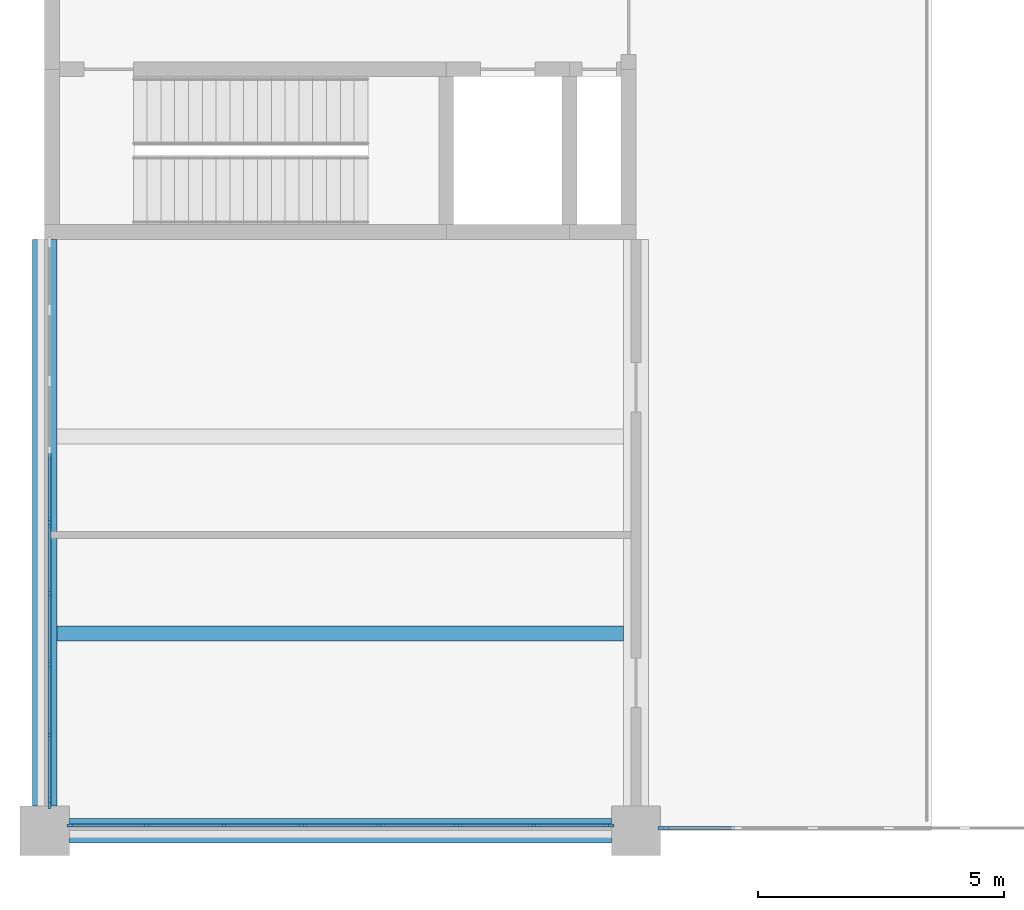
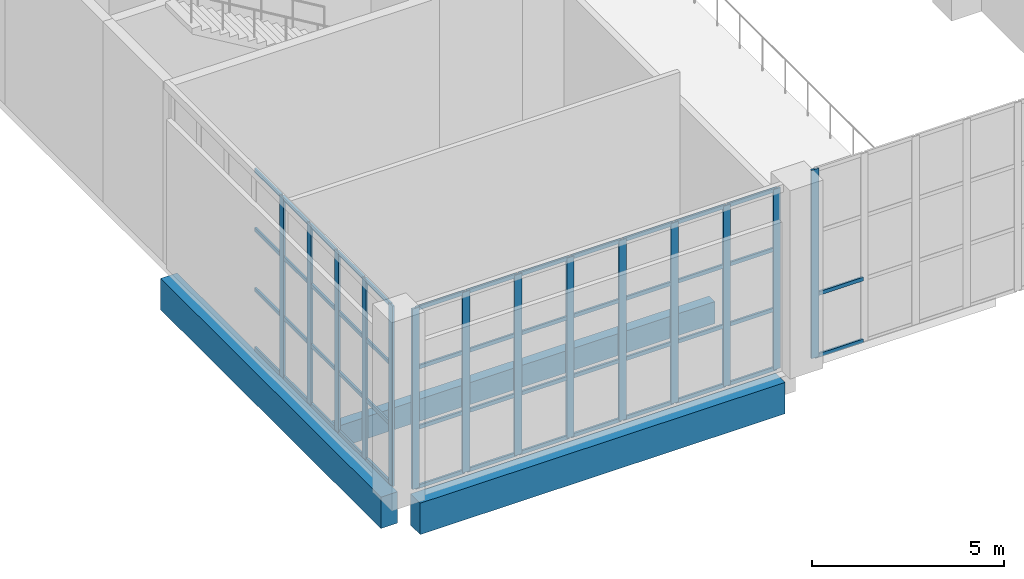
# One storey, part 12 of 72: 64 members, 3 beams, 3 elements without a shape of their own.
"""IFC4 building model written with IfcOpenShell, lengths in metres."""

import ifcopenshell
import ifcopenshell.guid

model = None  # the IFC model being written
_history = None  # IfcOwnerHistory: only IFC2X3 demands one
_inside = {}  # id of a spatial element -> (the spatial element, [elements in it])
_under = {}  # id of a project, library or spatial element -> (it, [spatial elements below it])
_declared = {}  # id of a project -> (the project, [libraries it declares])
_typed = {}  # id of a type object -> (the type object, [elements of that type])
_made_of = {}  # id of a material, layer set ... -> (it, [elements and type objects made of it])


def new_model(schema):
    """Start an empty IFC model of exactly this schema.

    Asked for "IFC4X3", IfcOpenShell would pick the latest addendum, in which some entities
    have other attributes; the version numbers below select the first issue.
    IFC2X3 requires an IfcOwnerHistory on every rooted entity: one is made here for all.
    """
    global model, _history
    if schema == "IFC4X3":
        model = ifcopenshell.file(schema_version=(4, 3, 0, 0))
    else:
        model = ifcopenshell.file(schema=schema)
    _inside.clear()
    _under.clear()
    _declared.clear()
    _typed.clear()
    _made_of.clear()
    _history = None
    if model.schema == "IFC2X3":
        org = make("IfcOrganization", Name="unknown")
        user = make(
            "IfcPersonAndOrganization",
            ThePerson=make("IfcPerson", FamilyName="unknown"),
            TheOrganization=org,
        )
        app = make(
            "IfcApplication",
            ApplicationDeveloper=org,
            Version="unknown",
            ApplicationFullName="unknown",
            ApplicationIdentifier="unknown",
        )
        _history = make(
            "IfcOwnerHistory",
            OwningUser=user,
            OwningApplication=app,
            ChangeAction="ADDED",
            CreationDate=0,
        )
    return model


def make(cls, **values):
    """One entity of the class cls with the attributes given. An attribute that is None is left unset."""
    return model.create_entity(
        cls, **{name: value for name, value in values.items() if value is not None}
    )


def rooted(cls, **values):
    """An entity with a GlobalId (a new one), such as an element, a storey or a relation."""
    return make(cls, GlobalId=ifcopenshell.guid.new(), OwnerHistory=_history, **values)


def si_unit(unit_type, name, prefix=None):
    """IfcSIUnit, for example si_unit("LENGTHUNIT", "METRE", prefix="MILLI")."""
    return make("IfcSIUnit", UnitType=unit_type, Prefix=prefix, Name=name)


def assignment(units):
    """IfcUnitAssignment: the units of a project."""
    return None if units is None else make("IfcUnitAssignment", Units=units)


def point(xyz):
    """IfcCartesianPoint."""
    return None if xyz is None else make("IfcCartesianPoint", Coordinates=xyz)


def direction(xyz):
    """IfcDirection."""
    return None if xyz is None else make("IfcDirection", DirectionRatios=xyz)


def frame(location, z_axis=None, x_axis=None):
    """IfcAxis2Placement3D, a coordinate frame: its origin and axes. An axis left out is left unset."""
    return make(
        "IfcAxis2Placement3D",
        Location=point(location),
        Axis=direction(z_axis),
        RefDirection=direction(x_axis),
    )


def frame_2d(location, x_axis=None):
    """IfcAxis2Placement2D, a coordinate frame in the plane: its origin and x axis."""
    return make(
        "IfcAxis2Placement2D", Location=point(location), RefDirection=direction(x_axis)
    )


def origin():
    """The frame at (0, 0, 0) with its axes left unset."""
    return frame((0.0, 0.0, 0.0))


def origin_2d():
    """The frame at (0, 0) in the plane with its x axis left unset."""
    return frame_2d((0.0, 0.0))


def place(relative_to, where):
    """IfcLocalPlacement: puts the frame where relative to a parent placement (None: the world)."""
    return make(
        "IfcLocalPlacement", PlacementRelTo=relative_to, RelativePlacement=where
    )


def context(
    kind, dimensions, precision=None, world=None, true_north=None, identifier=None
):
    """IfcGeometricRepresentationContext, for example the 3D "Model" context."""
    return make(
        "IfcGeometricRepresentationContext",
        ContextIdentifier=identifier,
        ContextType=kind,
        CoordinateSpaceDimension=dimensions,
        Precision=precision,
        WorldCoordinateSystem=world,
        TrueNorth=true_north,
    )


def subcontext(parent, identifier, kind, view, scale=None):
    """IfcGeometricRepresentationSubContext, for example "Body" below "Model"."""
    return make(
        "IfcGeometricRepresentationSubContext",
        ContextIdentifier=identifier,
        ContextType=kind,
        ParentContext=parent,
        TargetScale=scale,
        TargetView=view,
    )


def project(units=None, contexts=None):
    """IfcProject with its units and contexts."""
    return rooted(
        "IfcProject",
        Name="project",
        RepresentationContexts=contexts,
        UnitsInContext=assignment(units),
    )


def spatial(cls, under=None, at=None, **own):
    """A site, building, storey or space (cls), placed at a placement, below another one or the project."""
    s = rooted(cls, ObjectPlacement=at, **own)
    if under is not None:
        _under.setdefault(under.id(), (under, []))[1].append(s)
    return s


def profile(cls, at=None, kind="AREA", **sizes):
    """A parametric profile (cls). Its sizes go by their IFC names, for example OverallWidth=200.0."""
    return make(cls, ProfileType=kind, Position=at, **sizes)


def rectangle(**sizes):
    """IfcRectangleProfileDef."""
    return profile("IfcRectangleProfileDef", **sizes)


def extrude(swept, where, along, depth):
    """IfcExtrudedAreaSolid: the profile swept, set in the frame where, extruded along a direction by depth."""
    return make(
        "IfcExtrudedAreaSolid",
        SweptArea=swept,
        Position=where,
        ExtrudedDirection=direction(along),
        Depth=depth,
    )


def shape(context_of_items, identifier, shape_type, items):
    """IfcShapeRepresentation: the items that make up one representation, for example the "Body"."""
    return make(
        "IfcShapeRepresentation",
        ContextOfItems=context_of_items,
        RepresentationIdentifier=identifier,
        RepresentationType=shape_type,
        Items=items,
    )


def material(Name=None, Category=None):
    """IfcMaterial."""
    return make("IfcMaterial", Name=Name, Category=Category)


def layer(
    of_material, thickness, ventilated=None, Name=None, Category=None, Priority=None
):
    """IfcMaterialLayer: one layer of a wall or slab, of a material (None: an air gap)."""
    return make(
        "IfcMaterialLayer",
        Material=of_material,
        LayerThickness=thickness,
        IsVentilated=ventilated,
        Name=Name,
        Category=Category,
        Priority=Priority,
    )


def layer_set(layers, Name=None):
    """IfcMaterialLayerSet."""
    return make("IfcMaterialLayerSet", MaterialLayers=layers, LayerSetName=Name)


def material_profile(
    of_material, cross_section, Name=None, Category=None, Priority=None
):
    """IfcMaterialProfile: a cross section and its material."""
    return make(
        "IfcMaterialProfile",
        Name=Name,
        Material=of_material,
        Profile=cross_section,
        Priority=Priority,
        Category=Category,
    )


def profile_set(profiles, Name=None, composite=None):
    """IfcMaterialProfileSet."""
    return make(
        "IfcMaterialProfileSet",
        Name=Name,
        MaterialProfiles=profiles,
        CompositeProfile=composite,
    )


def made_of(thing, what):
    """Note that an element or type object is made of a material, layer set ...; save() writes the relation."""
    if what is not None:
        _made_of.setdefault(what.id(), (what, []))[1].append(thing)
    return thing


def type_object(cls, material=None, **own):
    """A type object (cls), such as IfcWallType, which elements share."""
    return made_of(rooted(cls, **own), material)


def element(
    cls,
    number,
    at=None,
    inside=None,
    cuts=None,
    type_object=None,
    material=None,
    context=None,
    identifier="Body",
    shape_type=None,
    held_by="IfcProductDefinitionShape",
    body=None,
    shapes=None,
    **own,
):
    """One element of the class cls, such as IfcWall. Its Tag is "e" and its number.

    at: its placement. inside: the storey or other place that contains it. cuts: it is an
    opening in that element (IfcRelVoidsElement). A single representation is given by context,
    identifier, shape_type and body (its items); several are given by shapes. held_by: the class
    of the entity that holds the representations. save() writes the other relations.
    """
    e = rooted(cls, Tag="e%d" % number, ObjectPlacement=at, **own)
    if body is not None:
        shapes = [shape(context, identifier, shape_type, body)]
    if shapes is not None:
        e.Representation = make(held_by, Representations=shapes)
    if inside is not None:
        _inside.setdefault(inside.id(), (inside, []))[1].append(e)
    if cuts is not None:
        rooted(
            "IfcRelVoidsElement", RelatingBuildingElement=cuts, RelatedOpeningElement=e
        )
    if type_object is not None:
        _typed.setdefault(type_object.id(), (type_object, []))[1].append(e)
    return made_of(e, material)


def aggregate(whole, parts):
    """IfcRelAggregates: a whole, such as a stair, and the parts it consists of."""
    return rooted("IfcRelAggregates", RelatingObject=whole, RelatedObjects=parts)


def save(model, path):
    """Write the relations noted so far, then the file.

    IfcRelAggregates (storeys below a building ...), IfcRelContainedInSpatialStructure (elements
    in a storey), IfcRelDefinesByType, IfcRelAssociatesMaterial and IfcRelDeclares: one each for
    every whole, place, type object, material and project.
    """
    for whole, parts in _under.values():
        aggregate(whole, parts)
    for where, things in _inside.values():
        rooted(
            "IfcRelContainedInSpatialStructure",
            RelatedElements=things,
            RelatingStructure=where,
        )
    for kind, things in _typed.values():
        rooted("IfcRelDefinesByType", RelatedObjects=things, RelatingType=kind)
    for what, things in _made_of.values():
        rooted("IfcRelAssociatesMaterial", RelatedObjects=things, RelatingMaterial=what)
    for by, libraries in _declared.values():
        rooted("IfcRelDeclares", RelatingContext=by, RelatedDefinitions=libraries)
    model.write(path)


model = new_model("IFC4")

# Units and contexts
model_context = context("Model", 3, precision=1e-05, world=origin(), true_north=direction((0.0, 1.0)))
body_context = subcontext(model_context, "Body", "Model", "MODEL_VIEW")
ifc_project = project(units=[si_unit("LENGTHUNIT", "METRE"), si_unit("AREAUNIT", "SQUARE_METRE"), si_unit("VOLUMEUNIT", "CUBIC_METRE"), si_unit("PLANEANGLEUNIT", "RADIAN"), si_unit("MASSUNIT", "GRAM", prefix="KILO")], contexts=[model_context])

# Site, building, storey
site_placement = place(None, origin())
site = spatial("IfcSite", under=ifc_project, at=site_placement, CompositionType="ELEMENT")
building_placement = place(site_placement, origin())
building = spatial("IfcBuilding", under=site, at=building_placement, Name="Lilac Gate Convention Centre", CompositionType="ELEMENT")
storey_placement = place(building_placement, frame((0.0, 0.0, 6.0)))
storey = spatial("IfcBuildingStorey", under=building, at=storey_placement, Name="L01", CompositionType="ELEMENT", Elevation=6.0)

# Curtain wall, members
ifc_material_1 = material(Name="Aluminium framed double glazing", Category="aluminium")
ifc_layer = layer(ifc_material_1, 0.199951171875)
ifc_layer_set = layer_set([ifc_layer], Name="Aluminium framed double glazing")
curtain_wall_type = type_object("IfcCurtainWallType", Name="Unitised curtain wall 1500", PredefinedType="NOTDEFINED", material=ifc_layer_set)
curtain_wall_1_placement = place(storey_placement, origin())
curtain_wall_1 = element("IfcCurtainWall", 1, at=curtain_wall_1_placement, inside=storey, type_object=curtain_wall_type, Name="Curtain wall PW L01 12", PredefinedType="NOTDEFINED")
ifc_material_2 = material(Name="Aluminium alloy 6063", Category="aluminium")
ifc_material_profile_1 = material_profile(ifc_material_2, rectangle(XDim=0.06005859375, YDim=0.219970703125, at=origin_2d()), Name="Curtain wall mullion 60 x 220")
ifc_profile_set_1 = profile_set([ifc_material_profile_1], Name="Aluminium alloy 6063")
member_type_1 = type_object("IfcMemberType", Name="Curtain wall mullion 60 x 220", PredefinedType="MULLION", material=ifc_profile_set_1)
member_1_placement = place(storey_placement, frame((6.10009765625, 36.25, 0.0), z_axis=(0.0, 0.0, 1.0), x_axis=(1.0, 0.0, 0.0)))
member_1 = element("IfcMember", 2, at=member_1_placement, type_object=member_type_1, Name="CW mullion 5", PredefinedType="MULLION", context=body_context, shape_type="SweptSolid", body=[
    extrude(rectangle(XDim=0.06005859375, YDim=0.219970703125, at=origin_2d()), origin(), (0.0, 0.0, 1.0), 5.75),
])
member_2_placement = place(storey_placement, frame((6.10009765625, 34.8125, 0.0), z_axis=(0.0, 0.0, 1.0), x_axis=(1.0, 0.0, 0.0)))
member_2 = element("IfcMember", 3, at=member_2_placement, type_object=member_type_1, Name="CW mullion 6", PredefinedType="MULLION", context=body_context, shape_type="SweptSolid", body=[
    extrude(rectangle(XDim=0.06005859375, YDim=0.219970703125, at=origin_2d()), origin(), (0.0, 0.0, 1.0), 5.75),
])
member_3_placement = place(storey_placement, frame((6.10009765625, 33.375, 0.0), z_axis=(0.0, 0.0, 1.0), x_axis=(1.0, 0.0, 0.0)))
member_3 = element("IfcMember", 4, at=member_3_placement, type_object=member_type_1, Name="CW mullion 7", PredefinedType="MULLION", context=body_context, shape_type="SweptSolid", body=[
    extrude(rectangle(XDim=0.06005859375, YDim=0.219970703125, at=origin_2d()), origin(), (0.0, 0.0, 1.0), 5.75),
])
member_4_placement = place(storey_placement, frame((6.10009765625, 31.9375, 0.0), z_axis=(0.0, 0.0, 1.0), x_axis=(1.0, 0.0, 0.0)))
member_4 = element("IfcMember", 5, at=member_4_placement, type_object=member_type_1, Name="CW mullion 8", PredefinedType="MULLION", context=body_context, shape_type="SweptSolid", body=[
    extrude(rectangle(XDim=0.06005859375, YDim=0.219970703125, at=origin_2d()), origin(), (0.0, 0.0, 1.0), 5.75),
])
member_5_placement = place(storey_placement, frame((6.10009765625, 30.56005859375, 0.0), z_axis=(0.0, 0.0, 1.0), x_axis=(1.0, 0.0, 0.0)))
member_5 = element("IfcMember", 6, at=member_5_placement, type_object=member_type_1, Name="CW mullion 9", PredefinedType="MULLION", context=body_context, shape_type="SweptSolid", body=[
    extrude(rectangle(XDim=0.06005859375, YDim=0.219970703125, at=origin_2d()), origin(), (0.0, 0.0, 1.0), 5.75),
])

curtain_wall_2_placement = place(storey_placement, origin())
curtain_wall_2 = element("IfcCurtainWall", 7, at=curtain_wall_2_placement, inside=storey, type_object=curtain_wall_type, Name="Curtain wall PS L01 1", PredefinedType="NOTDEFINED")
member_6_placement = place(storey_placement, frame((6.56005859375, 30.10009765625, 0.0), z_axis=(0.0, 0.0, 1.0), x_axis=(0.0, 1.0, 0.0)))
member_6 = element("IfcMember", 8, at=member_6_placement, type_object=member_type_1, Name="CW mullion 1", PredefinedType="MULLION", context=body_context, shape_type="SweptSolid", body=[
    extrude(rectangle(XDim=0.06005859375, YDim=0.219970703125, at=origin_2d()), origin(), (0.0, 0.0, 1.0), 5.75),
])
member_7_placement = place(storey_placement, frame((8.071533203125, 30.10009765625, 0.0), z_axis=(0.0, 0.0, 1.0), x_axis=(0.0, 1.0, 0.0)))
member_7 = element("IfcMember", 9, at=member_7_placement, type_object=member_type_1, Name="CW mullion 2", PredefinedType="MULLION", context=body_context, shape_type="SweptSolid", body=[
    extrude(rectangle(XDim=0.06005859375, YDim=0.219970703125, at=origin_2d()), origin(), (0.0, 0.0, 1.0), 5.75),
])
member_8_placement = place(storey_placement, frame((9.642822265625, 30.10009765625, 0.0), z_axis=(0.0, 0.0, 1.0), x_axis=(0.0, 1.0, 0.0)))
member_8 = element("IfcMember", 10, at=member_8_placement, type_object=member_type_1, Name="CW mullion 3", PredefinedType="MULLION", context=body_context, shape_type="SweptSolid", body=[
    extrude(rectangle(XDim=0.06005859375, YDim=0.219970703125, at=origin_2d()), origin(), (0.0, 0.0, 1.0), 5.75),
])
member_9_placement = place(storey_placement, frame((11.21435546875, 30.10009765625, 0.0), z_axis=(0.0, 0.0, 1.0), x_axis=(0.0, 1.0, 0.0)))
member_9 = element("IfcMember", 11, at=member_9_placement, type_object=member_type_1, Name="CW mullion 4", PredefinedType="MULLION", context=body_context, shape_type="SweptSolid", body=[
    extrude(rectangle(XDim=0.06005859375, YDim=0.219970703125, at=origin_2d()), origin(), (0.0, 0.0, 1.0), 5.75),
])
member_10_placement = place(storey_placement, frame((12.78564453125, 30.10009765625, 0.0), z_axis=(0.0, 0.0, 1.0), x_axis=(0.0, 1.0, 0.0)))
member_10 = element("IfcMember", 12, at=member_10_placement, type_object=member_type_1, Name="CW mullion 5", PredefinedType="MULLION", context=body_context, shape_type="SweptSolid", body=[
    extrude(rectangle(XDim=0.06005859375, YDim=0.219970703125, at=origin_2d()), origin(), (0.0, 0.0, 1.0), 5.75),
])
member_11_placement = place(storey_placement, frame((14.357177734375, 30.10009765625, 0.0), z_axis=(0.0, 0.0, 1.0), x_axis=(0.0, 1.0, 0.0)))
member_11 = element("IfcMember", 13, at=member_11_placement, type_object=member_type_1, Name="CW mullion 6", PredefinedType="MULLION", context=body_context, shape_type="SweptSolid", body=[
    extrude(rectangle(XDim=0.06005859375, YDim=0.219970703125, at=origin_2d()), origin(), (0.0, 0.0, 1.0), 5.75),
])
member_12_placement = place(storey_placement, frame((15.928466796875, 30.10009765625, 0.0), z_axis=(0.0, 0.0, 1.0), x_axis=(0.0, 1.0, 0.0)))
member_12 = element("IfcMember", 14, at=member_12_placement, type_object=member_type_1, Name="CW mullion 7", PredefinedType="MULLION", context=body_context, shape_type="SweptSolid", body=[
    extrude(rectangle(XDim=0.06005859375, YDim=0.219970703125, at=origin_2d()), origin(), (0.0, 0.0, 1.0), 5.75),
])
member_13_placement = place(storey_placement, frame((17.43994140625, 30.10009765625, 0.0), z_axis=(0.0, 0.0, 1.0), x_axis=(0.0, 1.0, 0.0)))
member_13 = element("IfcMember", 15, at=member_13_placement, type_object=member_type_1, Name="CW mullion 8", PredefinedType="MULLION", context=body_context, shape_type="SweptSolid", body=[
    extrude(rectangle(XDim=0.06005859375, YDim=0.219970703125, at=origin_2d()), origin(), (0.0, 0.0, 1.0), 5.75),
])

# Curtain wall, member
curtain_wall_3_placement = place(storey_placement, origin())
curtain_wall_3 = element("IfcCurtainWall", 16, at=curtain_wall_3_placement, inside=storey, type_object=curtain_wall_type, Name="Galleria end glazing L01", PredefinedType="NOTDEFINED")
member_14_placement = place(storey_placement, frame((18.56005859375, 30.050048828125, 0.0), z_axis=(0.0, 0.0, 1.0), x_axis=(0.0, 1.0, 0.0)))
member_14 = element("IfcMember", 17, at=member_14_placement, type_object=member_type_1, Name="CW mullion 1", PredefinedType="MULLION", context=body_context, shape_type="SweptSolid", body=[
    extrude(rectangle(XDim=0.06005859375, YDim=0.219970703125, at=origin_2d()), origin(), (0.0, 0.0, 1.0), 6.0),
])

# Member
ifc_material_profile_2 = material_profile(ifc_material_2, rectangle(XDim=0.06005859375, YDim=0.1201171875, at=origin_2d()), Name="Curtain wall transom 60 x 120")
ifc_profile_set_2 = profile_set([ifc_material_profile_2], Name="Aluminium alloy 6063")
member_type_2 = type_object("IfcMemberType", Name="Curtain wall transom 60 x 120", PredefinedType="USERDEFINED", material=ifc_profile_set_2)
member_15_placement = place(storey_placement, frame((6.10009765625, 37.657470703125, 0.030029296875), z_axis=(0.0, -1.0, 0.0), x_axis=(1.0, 0.0, 0.0)))
member_15 = element("IfcMember", 18, at=member_15_placement, type_object=member_type_2, Name="CW transom 4.1", ObjectType="TRANSOM", PredefinedType="USERDEFINED", context=body_context, shape_type="SweptSolid", body=[
    extrude(rectangle(XDim=0.06005859375, YDim=0.1201171875, at=origin_2d()), origin(), (0.0, 0.0, 1.0), 1.37744140625),
])

member_16_placement = place(storey_placement, frame((6.10009765625, 37.657470703125, 1.916748046875), z_axis=(0.0, -1.0, 0.0), x_axis=(1.0, 0.0, 0.0)))
member_16 = element("IfcMember", 19, at=member_16_placement, type_object=member_type_2, Name="CW transom 4.2", ObjectType="TRANSOM", PredefinedType="USERDEFINED", context=body_context, shape_type="SweptSolid", body=[
    extrude(rectangle(XDim=0.06005859375, YDim=0.1201171875, at=origin_2d()), origin(), (0.0, 0.0, 1.0), 1.37744140625),
])

member_17_placement = place(storey_placement, frame((6.10009765625, 37.657470703125, 3.833251953125), z_axis=(0.0, -1.0, 0.0), x_axis=(1.0, 0.0, 0.0)))
member_17 = element("IfcMember", 20, at=member_17_placement, type_object=member_type_2, Name="CW transom 4.3", ObjectType="TRANSOM", PredefinedType="USERDEFINED", context=body_context, shape_type="SweptSolid", body=[
    extrude(rectangle(XDim=0.06005859375, YDim=0.1201171875, at=origin_2d()), origin(), (0.0, 0.0, 1.0), 1.37744140625),
])

member_18_placement = place(storey_placement, frame((6.10009765625, 37.657470703125, 5.719970703125), z_axis=(0.0, -1.0, 0.0), x_axis=(1.0, 0.0, 0.0)))
member_18 = element("IfcMember", 21, at=member_18_placement, type_object=member_type_2, Name="CW transom 4.4", ObjectType="TRANSOM", PredefinedType="USERDEFINED", context=body_context, shape_type="SweptSolid", body=[
    extrude(rectangle(XDim=0.06005859375, YDim=0.1201171875, at=origin_2d()), origin(), (0.0, 0.0, 1.0), 1.37744140625),
])

member_19_placement = place(storey_placement, frame((6.10009765625, 36.219970703125, 0.030029296875), z_axis=(0.0, -1.0, 0.0), x_axis=(1.0, 0.0, 0.0)))
member_19 = element("IfcMember", 22, at=member_19_placement, type_object=member_type_2, Name="CW transom 5.1", ObjectType="TRANSOM", PredefinedType="USERDEFINED", context=body_context, shape_type="SweptSolid", body=[
    extrude(rectangle(XDim=0.06005859375, YDim=0.1201171875, at=origin_2d()), origin(), (0.0, 0.0, 1.0), 1.37744140625),
])

member_20_placement = place(storey_placement, frame((6.10009765625, 36.219970703125, 1.916748046875), z_axis=(0.0, -1.0, 0.0), x_axis=(1.0, 0.0, 0.0)))
member_20 = element("IfcMember", 23, at=member_20_placement, type_object=member_type_2, Name="CW transom 5.2", ObjectType="TRANSOM", PredefinedType="USERDEFINED", context=body_context, shape_type="SweptSolid", body=[
    extrude(rectangle(XDim=0.06005859375, YDim=0.1201171875, at=origin_2d()), origin(), (0.0, 0.0, 1.0), 1.37744140625),
])

member_21_placement = place(storey_placement, frame((6.10009765625, 36.219970703125, 3.833251953125), z_axis=(0.0, -1.0, 0.0), x_axis=(1.0, 0.0, 0.0)))
member_21 = element("IfcMember", 24, at=member_21_placement, type_object=member_type_2, Name="CW transom 5.3", ObjectType="TRANSOM", PredefinedType="USERDEFINED", context=body_context, shape_type="SweptSolid", body=[
    extrude(rectangle(XDim=0.06005859375, YDim=0.1201171875, at=origin_2d()), origin(), (0.0, 0.0, 1.0), 1.37744140625),
])

member_22_placement = place(storey_placement, frame((6.10009765625, 36.219970703125, 5.719970703125), z_axis=(0.0, -1.0, 0.0), x_axis=(1.0, 0.0, 0.0)))
member_22 = element("IfcMember", 25, at=member_22_placement, type_object=member_type_2, Name="CW transom 5.4", ObjectType="TRANSOM", PredefinedType="USERDEFINED", context=body_context, shape_type="SweptSolid", body=[
    extrude(rectangle(XDim=0.06005859375, YDim=0.1201171875, at=origin_2d()), origin(), (0.0, 0.0, 1.0), 1.37744140625),
])

member_23_placement = place(storey_placement, frame((6.10009765625, 34.782470703125, 0.030029296875), z_axis=(0.0, -1.0, 0.0), x_axis=(1.0, 0.0, 0.0)))
member_23 = element("IfcMember", 26, at=member_23_placement, type_object=member_type_2, Name="CW transom 6.1", ObjectType="TRANSOM", PredefinedType="USERDEFINED", context=body_context, shape_type="SweptSolid", body=[
    extrude(rectangle(XDim=0.06005859375, YDim=0.1201171875, at=origin_2d()), origin(), (0.0, 0.0, 1.0), 1.37744140625),
])

member_24_placement = place(storey_placement, frame((6.10009765625, 34.782470703125, 1.916748046875), z_axis=(0.0, -1.0, 0.0), x_axis=(1.0, 0.0, 0.0)))
member_24 = element("IfcMember", 27, at=member_24_placement, type_object=member_type_2, Name="CW transom 6.2", ObjectType="TRANSOM", PredefinedType="USERDEFINED", context=body_context, shape_type="SweptSolid", body=[
    extrude(rectangle(XDim=0.06005859375, YDim=0.1201171875, at=origin_2d()), origin(), (0.0, 0.0, 1.0), 1.37744140625),
])

member_25_placement = place(storey_placement, frame((6.10009765625, 34.782470703125, 3.833251953125), z_axis=(0.0, -1.0, 0.0), x_axis=(1.0, 0.0, 0.0)))
member_25 = element("IfcMember", 28, at=member_25_placement, type_object=member_type_2, Name="CW transom 6.3", ObjectType="TRANSOM", PredefinedType="USERDEFINED", context=body_context, shape_type="SweptSolid", body=[
    extrude(rectangle(XDim=0.06005859375, YDim=0.1201171875, at=origin_2d()), origin(), (0.0, 0.0, 1.0), 1.37744140625),
])

member_26_placement = place(storey_placement, frame((6.10009765625, 34.782470703125, 5.719970703125), z_axis=(0.0, -1.0, 0.0), x_axis=(1.0, 0.0, 0.0)))
member_26 = element("IfcMember", 29, at=member_26_placement, type_object=member_type_2, Name="CW transom 6.4", ObjectType="TRANSOM", PredefinedType="USERDEFINED", context=body_context, shape_type="SweptSolid", body=[
    extrude(rectangle(XDim=0.06005859375, YDim=0.1201171875, at=origin_2d()), origin(), (0.0, 0.0, 1.0), 1.37744140625),
])

member_27_placement = place(storey_placement, frame((6.10009765625, 33.344970703125, 0.030029296875), z_axis=(0.0, -1.0, 0.0), x_axis=(1.0, 0.0, 0.0)))
member_27 = element("IfcMember", 30, at=member_27_placement, type_object=member_type_2, Name="CW transom 7.1", ObjectType="TRANSOM", PredefinedType="USERDEFINED", context=body_context, shape_type="SweptSolid", body=[
    extrude(rectangle(XDim=0.06005859375, YDim=0.1201171875, at=origin_2d()), origin(), (0.0, 0.0, 1.0), 1.37744140625),
])

member_28_placement = place(storey_placement, frame((6.10009765625, 33.344970703125, 1.916748046875), z_axis=(0.0, -1.0, 0.0), x_axis=(1.0, 0.0, 0.0)))
member_28 = element("IfcMember", 31, at=member_28_placement, type_object=member_type_2, Name="CW transom 7.2", ObjectType="TRANSOM", PredefinedType="USERDEFINED", context=body_context, shape_type="SweptSolid", body=[
    extrude(rectangle(XDim=0.06005859375, YDim=0.1201171875, at=origin_2d()), origin(), (0.0, 0.0, 1.0), 1.37744140625),
])

member_29_placement = place(storey_placement, frame((6.10009765625, 33.344970703125, 3.833251953125), z_axis=(0.0, -1.0, 0.0), x_axis=(1.0, 0.0, 0.0)))
member_29 = element("IfcMember", 32, at=member_29_placement, type_object=member_type_2, Name="CW transom 7.3", ObjectType="TRANSOM", PredefinedType="USERDEFINED", context=body_context, shape_type="SweptSolid", body=[
    extrude(rectangle(XDim=0.06005859375, YDim=0.1201171875, at=origin_2d()), origin(), (0.0, 0.0, 1.0), 1.37744140625),
])

member_30_placement = place(storey_placement, frame((6.10009765625, 33.344970703125, 5.719970703125), z_axis=(0.0, -1.0, 0.0), x_axis=(1.0, 0.0, 0.0)))
member_30 = element("IfcMember", 33, at=member_30_placement, type_object=member_type_2, Name="CW transom 7.4", ObjectType="TRANSOM", PredefinedType="USERDEFINED", context=body_context, shape_type="SweptSolid", body=[
    extrude(rectangle(XDim=0.06005859375, YDim=0.1201171875, at=origin_2d()), origin(), (0.0, 0.0, 1.0), 1.37744140625),
])

member_31_placement = place(storey_placement, frame((6.10009765625, 31.907470703125, 0.030029296875), z_axis=(0.0, -1.0, 0.0), x_axis=(1.0, 0.0, 0.0)))
member_31 = element("IfcMember", 34, at=member_31_placement, type_object=member_type_2, Name="CW transom 8.1", ObjectType="TRANSOM", PredefinedType="USERDEFINED", context=body_context, shape_type="SweptSolid", body=[
    extrude(rectangle(XDim=0.06005859375, YDim=0.1201171875, at=origin_2d()), origin(), (0.0, 0.0, 1.0), 1.347412109375),
])

member_32_placement = place(storey_placement, frame((6.10009765625, 31.907470703125, 1.916748046875), z_axis=(0.0, -1.0, 0.0), x_axis=(1.0, 0.0, 0.0)))
member_32 = element("IfcMember", 35, at=member_32_placement, type_object=member_type_2, Name="CW transom 8.2", ObjectType="TRANSOM", PredefinedType="USERDEFINED", context=body_context, shape_type="SweptSolid", body=[
    extrude(rectangle(XDim=0.06005859375, YDim=0.1201171875, at=origin_2d()), origin(), (0.0, 0.0, 1.0), 1.347412109375),
])

member_33_placement = place(storey_placement, frame((6.10009765625, 31.907470703125, 3.833251953125), z_axis=(0.0, -1.0, 0.0), x_axis=(1.0, 0.0, 0.0)))
member_33 = element("IfcMember", 36, at=member_33_placement, type_object=member_type_2, Name="CW transom 8.3", ObjectType="TRANSOM", PredefinedType="USERDEFINED", context=body_context, shape_type="SweptSolid", body=[
    extrude(rectangle(XDim=0.06005859375, YDim=0.1201171875, at=origin_2d()), origin(), (0.0, 0.0, 1.0), 1.347412109375),
])

member_34_placement = place(storey_placement, frame((6.10009765625, 31.907470703125, 5.719970703125), z_axis=(0.0, -1.0, 0.0), x_axis=(1.0, 0.0, 0.0)))
member_34 = element("IfcMember", 37, at=member_34_placement, type_object=member_type_2, Name="CW transom 8.4", ObjectType="TRANSOM", PredefinedType="USERDEFINED", context=body_context, shape_type="SweptSolid", body=[
    extrude(rectangle(XDim=0.06005859375, YDim=0.1201171875, at=origin_2d()), origin(), (0.0, 0.0, 1.0), 1.347412109375),
])

aggregate(curtain_wall_1, [member_1, member_2, member_3, member_4, member_5, member_15, member_16, member_17, member_18, member_19, member_20, member_21, member_22, member_23, member_24, member_25, member_26, member_27, member_28, member_29, member_30, member_31, member_32, member_33, member_34])

member_35_placement = place(storey_placement, frame((6.56005859375, 30.10009765625, 0.030029296875), z_axis=(1.0, 0.0, 0.0), x_axis=(0.0, 1.0, 0.0)))
member_35 = element("IfcMember", 38, at=member_35_placement, type_object=member_type_2, Name="CW transom 1.1", ObjectType="TRANSOM", PredefinedType="USERDEFINED", context=body_context, shape_type="SweptSolid", body=[
    extrude(rectangle(XDim=0.06005859375, YDim=0.1201171875, at=origin_2d()), origin(), (0.0, 0.0, 1.0), 1.4814453125),
])

member_36_placement = place(storey_placement, frame((6.56005859375, 30.10009765625, 1.916748046875), z_axis=(1.0, 0.0, 0.0), x_axis=(0.0, 1.0, 0.0)))
member_36 = element("IfcMember", 39, at=member_36_placement, type_object=member_type_2, Name="CW transom 1.2", ObjectType="TRANSOM", PredefinedType="USERDEFINED", context=body_context, shape_type="SweptSolid", body=[
    extrude(rectangle(XDim=0.06005859375, YDim=0.1201171875, at=origin_2d()), origin(), (0.0, 0.0, 1.0), 1.4814453125),
])

member_37_placement = place(storey_placement, frame((6.56005859375, 30.10009765625, 3.833251953125), z_axis=(1.0, 0.0, 0.0), x_axis=(0.0, 1.0, 0.0)))
member_37 = element("IfcMember", 40, at=member_37_placement, type_object=member_type_2, Name="CW transom 1.3", ObjectType="TRANSOM", PredefinedType="USERDEFINED", context=body_context, shape_type="SweptSolid", body=[
    extrude(rectangle(XDim=0.06005859375, YDim=0.1201171875, at=origin_2d()), origin(), (0.0, 0.0, 1.0), 1.4814453125),
])

member_38_placement = place(storey_placement, frame((6.56005859375, 30.10009765625, 5.719970703125), z_axis=(1.0, 0.0, 0.0), x_axis=(0.0, 1.0, 0.0)))
member_38 = element("IfcMember", 41, at=member_38_placement, type_object=member_type_2, Name="CW transom 1.4", ObjectType="TRANSOM", PredefinedType="USERDEFINED", context=body_context, shape_type="SweptSolid", body=[
    extrude(rectangle(XDim=0.06005859375, YDim=0.1201171875, at=origin_2d()), origin(), (0.0, 0.0, 1.0), 1.4814453125),
])

member_39_placement = place(storey_placement, frame((8.101318359375, 30.10009765625, 0.030029296875), z_axis=(1.0, 0.0, 0.0), x_axis=(0.0, 1.0, 0.0)))
member_39 = element("IfcMember", 42, at=member_39_placement, type_object=member_type_2, Name="CW transom 2.1", ObjectType="TRANSOM", PredefinedType="USERDEFINED", context=body_context, shape_type="SweptSolid", body=[
    extrude(rectangle(XDim=0.06005859375, YDim=0.1201171875, at=origin_2d()), origin(), (0.0, 0.0, 1.0), 1.511474609375),
])

member_40_placement = place(storey_placement, frame((8.101318359375, 30.10009765625, 1.916748046875), z_axis=(1.0, 0.0, 0.0), x_axis=(0.0, 1.0, 0.0)))
member_40 = element("IfcMember", 43, at=member_40_placement, type_object=member_type_2, Name="CW transom 2.2", ObjectType="TRANSOM", PredefinedType="USERDEFINED", context=body_context, shape_type="SweptSolid", body=[
    extrude(rectangle(XDim=0.06005859375, YDim=0.1201171875, at=origin_2d()), origin(), (0.0, 0.0, 1.0), 1.511474609375),
])

member_41_placement = place(storey_placement, frame((8.101318359375, 30.10009765625, 3.833251953125), z_axis=(1.0, 0.0, 0.0), x_axis=(0.0, 1.0, 0.0)))
member_41 = element("IfcMember", 44, at=member_41_placement, type_object=member_type_2, Name="CW transom 2.3", ObjectType="TRANSOM", PredefinedType="USERDEFINED", context=body_context, shape_type="SweptSolid", body=[
    extrude(rectangle(XDim=0.06005859375, YDim=0.1201171875, at=origin_2d()), origin(), (0.0, 0.0, 1.0), 1.511474609375),
])

member_42_placement = place(storey_placement, frame((8.101318359375, 30.10009765625, 5.719970703125), z_axis=(1.0, 0.0, 0.0), x_axis=(0.0, 1.0, 0.0)))
member_42 = element("IfcMember", 45, at=member_42_placement, type_object=member_type_2, Name="CW transom 2.4", ObjectType="TRANSOM", PredefinedType="USERDEFINED", context=body_context, shape_type="SweptSolid", body=[
    extrude(rectangle(XDim=0.06005859375, YDim=0.1201171875, at=origin_2d()), origin(), (0.0, 0.0, 1.0), 1.511474609375),
])

member_43_placement = place(storey_placement, frame((9.6728515625, 30.10009765625, 0.030029296875), z_axis=(1.0, 0.0, 0.0), x_axis=(0.0, 1.0, 0.0)))
member_43 = element("IfcMember", 46, at=member_43_placement, type_object=member_type_2, Name="CW transom 3.1", ObjectType="TRANSOM", PredefinedType="USERDEFINED", context=body_context, shape_type="SweptSolid", body=[
    extrude(rectangle(XDim=0.06005859375, YDim=0.1201171875, at=origin_2d()), origin(), (0.0, 0.0, 1.0), 1.511474609375),
])

member_44_placement = place(storey_placement, frame((9.6728515625, 30.10009765625, 1.916748046875), z_axis=(1.0, 0.0, 0.0), x_axis=(0.0, 1.0, 0.0)))
member_44 = element("IfcMember", 47, at=member_44_placement, type_object=member_type_2, Name="CW transom 3.2", ObjectType="TRANSOM", PredefinedType="USERDEFINED", context=body_context, shape_type="SweptSolid", body=[
    extrude(rectangle(XDim=0.06005859375, YDim=0.1201171875, at=origin_2d()), origin(), (0.0, 0.0, 1.0), 1.511474609375),
])

member_45_placement = place(storey_placement, frame((9.6728515625, 30.10009765625, 3.833251953125), z_axis=(1.0, 0.0, 0.0), x_axis=(0.0, 1.0, 0.0)))
member_45 = element("IfcMember", 48, at=member_45_placement, type_object=member_type_2, Name="CW transom 3.3", ObjectType="TRANSOM", PredefinedType="USERDEFINED", context=body_context, shape_type="SweptSolid", body=[
    extrude(rectangle(XDim=0.06005859375, YDim=0.1201171875, at=origin_2d()), origin(), (0.0, 0.0, 1.0), 1.511474609375),
])

member_46_placement = place(storey_placement, frame((9.6728515625, 30.10009765625, 5.719970703125), z_axis=(1.0, 0.0, 0.0), x_axis=(0.0, 1.0, 0.0)))
member_46 = element("IfcMember", 49, at=member_46_placement, type_object=member_type_2, Name="CW transom 3.4", ObjectType="TRANSOM", PredefinedType="USERDEFINED", context=body_context, shape_type="SweptSolid", body=[
    extrude(rectangle(XDim=0.06005859375, YDim=0.1201171875, at=origin_2d()), origin(), (0.0, 0.0, 1.0), 1.511474609375),
])

member_47_placement = place(storey_placement, frame((11.244384765625, 30.10009765625, 0.030029296875), z_axis=(1.0, 0.0, 0.0), x_axis=(0.0, 1.0, 0.0)))
member_47 = element("IfcMember", 50, at=member_47_placement, type_object=member_type_2, Name="CW transom 4.1", ObjectType="TRANSOM", PredefinedType="USERDEFINED", context=body_context, shape_type="SweptSolid", body=[
    extrude(rectangle(XDim=0.06005859375, YDim=0.1201171875, at=origin_2d()), origin(), (0.0, 0.0, 1.0), 1.51123046875),
])

member_48_placement = place(storey_placement, frame((11.244384765625, 30.10009765625, 1.916748046875), z_axis=(1.0, 0.0, 0.0), x_axis=(0.0, 1.0, 0.0)))
member_48 = element("IfcMember", 51, at=member_48_placement, type_object=member_type_2, Name="CW transom 4.2", ObjectType="TRANSOM", PredefinedType="USERDEFINED", context=body_context, shape_type="SweptSolid", body=[
    extrude(rectangle(XDim=0.06005859375, YDim=0.1201171875, at=origin_2d()), origin(), (0.0, 0.0, 1.0), 1.51123046875),
])

member_49_placement = place(storey_placement, frame((11.244384765625, 30.10009765625, 3.833251953125), z_axis=(1.0, 0.0, 0.0), x_axis=(0.0, 1.0, 0.0)))
member_49 = element("IfcMember", 52, at=member_49_placement, type_object=member_type_2, Name="CW transom 4.3", ObjectType="TRANSOM", PredefinedType="USERDEFINED", context=body_context, shape_type="SweptSolid", body=[
    extrude(rectangle(XDim=0.06005859375, YDim=0.1201171875, at=origin_2d()), origin(), (0.0, 0.0, 1.0), 1.51123046875),
])

member_50_placement = place(storey_placement, frame((11.244384765625, 30.10009765625, 5.719970703125), z_axis=(1.0, 0.0, 0.0), x_axis=(0.0, 1.0, 0.0)))
member_50 = element("IfcMember", 53, at=member_50_placement, type_object=member_type_2, Name="CW transom 4.4", ObjectType="TRANSOM", PredefinedType="USERDEFINED", context=body_context, shape_type="SweptSolid", body=[
    extrude(rectangle(XDim=0.06005859375, YDim=0.1201171875, at=origin_2d()), origin(), (0.0, 0.0, 1.0), 1.51123046875),
])

member_51_placement = place(storey_placement, frame((12.815673828125, 30.10009765625, 0.030029296875), z_axis=(1.0, 0.0, 0.0), x_axis=(0.0, 1.0, 0.0)))
member_51 = element("IfcMember", 54, at=member_51_placement, type_object=member_type_2, Name="CW transom 5.1", ObjectType="TRANSOM", PredefinedType="USERDEFINED", context=body_context, shape_type="SweptSolid", body=[
    extrude(rectangle(XDim=0.06005859375, YDim=0.1201171875, at=origin_2d()), origin(), (0.0, 0.0, 1.0), 1.511474609375),
])

member_52_placement = place(storey_placement, frame((12.815673828125, 30.10009765625, 1.916748046875), z_axis=(1.0, 0.0, 0.0), x_axis=(0.0, 1.0, 0.0)))
member_52 = element("IfcMember", 55, at=member_52_placement, type_object=member_type_2, Name="CW transom 5.2", ObjectType="TRANSOM", PredefinedType="USERDEFINED", context=body_context, shape_type="SweptSolid", body=[
    extrude(rectangle(XDim=0.06005859375, YDim=0.1201171875, at=origin_2d()), origin(), (0.0, 0.0, 1.0), 1.511474609375),
])

member_53_placement = place(storey_placement, frame((12.815673828125, 30.10009765625, 3.833251953125), z_axis=(1.0, 0.0, 0.0), x_axis=(0.0, 1.0, 0.0)))
member_53 = element("IfcMember", 56, at=member_53_placement, type_object=member_type_2, Name="CW transom 5.3", ObjectType="TRANSOM", PredefinedType="USERDEFINED", context=body_context, shape_type="SweptSolid", body=[
    extrude(rectangle(XDim=0.06005859375, YDim=0.1201171875, at=origin_2d()), origin(), (0.0, 0.0, 1.0), 1.511474609375),
])

member_54_placement = place(storey_placement, frame((12.815673828125, 30.10009765625, 5.719970703125), z_axis=(1.0, 0.0, 0.0), x_axis=(0.0, 1.0, 0.0)))
member_54 = element("IfcMember", 57, at=member_54_placement, type_object=member_type_2, Name="CW transom 5.4", ObjectType="TRANSOM", PredefinedType="USERDEFINED", context=body_context, shape_type="SweptSolid", body=[
    extrude(rectangle(XDim=0.06005859375, YDim=0.1201171875, at=origin_2d()), origin(), (0.0, 0.0, 1.0), 1.511474609375),
])

member_55_placement = place(storey_placement, frame((14.38720703125, 30.10009765625, 0.030029296875), z_axis=(1.0, 0.0, 0.0), x_axis=(0.0, 1.0, 0.0)))
member_55 = element("IfcMember", 58, at=member_55_placement, type_object=member_type_2, Name="CW transom 6.1", ObjectType="TRANSOM", PredefinedType="USERDEFINED", context=body_context, shape_type="SweptSolid", body=[
    extrude(rectangle(XDim=0.06005859375, YDim=0.1201171875, at=origin_2d()), origin(), (0.0, 0.0, 1.0), 1.511474609375),
])

member_56_placement = place(storey_placement, frame((14.38720703125, 30.10009765625, 1.916748046875), z_axis=(1.0, 0.0, 0.0), x_axis=(0.0, 1.0, 0.0)))
member_56 = element("IfcMember", 59, at=member_56_placement, type_object=member_type_2, Name="CW transom 6.2", ObjectType="TRANSOM", PredefinedType="USERDEFINED", context=body_context, shape_type="SweptSolid", body=[
    extrude(rectangle(XDim=0.06005859375, YDim=0.1201171875, at=origin_2d()), origin(), (0.0, 0.0, 1.0), 1.511474609375),
])

member_57_placement = place(storey_placement, frame((14.38720703125, 30.10009765625, 3.833251953125), z_axis=(1.0, 0.0, 0.0), x_axis=(0.0, 1.0, 0.0)))
member_57 = element("IfcMember", 60, at=member_57_placement, type_object=member_type_2, Name="CW transom 6.3", ObjectType="TRANSOM", PredefinedType="USERDEFINED", context=body_context, shape_type="SweptSolid", body=[
    extrude(rectangle(XDim=0.06005859375, YDim=0.1201171875, at=origin_2d()), origin(), (0.0, 0.0, 1.0), 1.511474609375),
])

member_58_placement = place(storey_placement, frame((14.38720703125, 30.10009765625, 5.719970703125), z_axis=(1.0, 0.0, 0.0), x_axis=(0.0, 1.0, 0.0)))
member_58 = element("IfcMember", 61, at=member_58_placement, type_object=member_type_2, Name="CW transom 6.4", ObjectType="TRANSOM", PredefinedType="USERDEFINED", context=body_context, shape_type="SweptSolid", body=[
    extrude(rectangle(XDim=0.06005859375, YDim=0.1201171875, at=origin_2d()), origin(), (0.0, 0.0, 1.0), 1.511474609375),
])

member_59_placement = place(storey_placement, frame((15.95849609375, 30.10009765625, 0.030029296875), z_axis=(1.0, 0.0, 0.0), x_axis=(0.0, 1.0, 0.0)))
member_59 = element("IfcMember", 62, at=member_59_placement, type_object=member_type_2, Name="CW transom 7.1", ObjectType="TRANSOM", PredefinedType="USERDEFINED", context=body_context, shape_type="SweptSolid", body=[
    extrude(rectangle(XDim=0.06005859375, YDim=0.1201171875, at=origin_2d()), origin(), (0.0, 0.0, 1.0), 1.4814453125),
])

member_60_placement = place(storey_placement, frame((15.95849609375, 30.10009765625, 1.916748046875), z_axis=(1.0, 0.0, 0.0), x_axis=(0.0, 1.0, 0.0)))
member_60 = element("IfcMember", 63, at=member_60_placement, type_object=member_type_2, Name="CW transom 7.2", ObjectType="TRANSOM", PredefinedType="USERDEFINED", context=body_context, shape_type="SweptSolid", body=[
    extrude(rectangle(XDim=0.06005859375, YDim=0.1201171875, at=origin_2d()), origin(), (0.0, 0.0, 1.0), 1.4814453125),
])

member_61_placement = place(storey_placement, frame((15.95849609375, 30.10009765625, 3.833251953125), z_axis=(1.0, 0.0, 0.0), x_axis=(0.0, 1.0, 0.0)))
member_61 = element("IfcMember", 64, at=member_61_placement, type_object=member_type_2, Name="CW transom 7.3", ObjectType="TRANSOM", PredefinedType="USERDEFINED", context=body_context, shape_type="SweptSolid", body=[
    extrude(rectangle(XDim=0.06005859375, YDim=0.1201171875, at=origin_2d()), origin(), (0.0, 0.0, 1.0), 1.4814453125),
])

member_62_placement = place(storey_placement, frame((15.95849609375, 30.10009765625, 5.719970703125), z_axis=(1.0, 0.0, 0.0), x_axis=(0.0, 1.0, 0.0)))
member_62 = element("IfcMember", 65, at=member_62_placement, type_object=member_type_2, Name="CW transom 7.4", ObjectType="TRANSOM", PredefinedType="USERDEFINED", context=body_context, shape_type="SweptSolid", body=[
    extrude(rectangle(XDim=0.06005859375, YDim=0.1201171875, at=origin_2d()), origin(), (0.0, 0.0, 1.0), 1.4814453125),
])

aggregate(curtain_wall_2, [member_6, member_7, member_8, member_9, member_10, member_11, member_12, member_13, member_35, member_36, member_37, member_38, member_39, member_40, member_41, member_42, member_43, member_44, member_45, member_46, member_47, member_48, member_49, member_50, member_51, member_52, member_53, member_54, member_55, member_56, member_57, member_58, member_59, member_60, member_61, member_62])

member_63_placement = place(storey_placement, frame((18.56005859375, 30.050048828125, 0.030029296875), z_axis=(1.0, 0.0, 0.0), x_axis=(0.0, 1.0, 0.0)))
member_63 = element("IfcMember", 66, at=member_63_placement, type_object=member_type_2, Name="CW transom 1.1", ObjectType="TRANSOM", PredefinedType="USERDEFINED", context=body_context, shape_type="SweptSolid", body=[
    extrude(rectangle(XDim=0.06005859375, YDim=0.1201171875, at=origin_2d()), origin(), (0.0, 0.0, 1.0), 1.452880859375),
])

member_64_placement = place(storey_placement, frame((18.56005859375, 30.050048828125, 2.0), z_axis=(1.0, 0.0, 0.0), x_axis=(0.0, 1.0, 0.0)))
member_64 = element("IfcMember", 67, at=member_64_placement, type_object=member_type_2, Name="CW transom 1.2", ObjectType="TRANSOM", PredefinedType="USERDEFINED", context=body_context, shape_type="SweptSolid", body=[
    extrude(rectangle(XDim=0.06005859375, YDim=0.1201171875, at=origin_2d()), origin(), (0.0, 0.0, 1.0), 1.452880859375),
])

aggregate(curtain_wall_3, [member_14, member_63, member_64])

# Beams
ifc_material_3 = material(Name="Concrete C40", Category="concrete")
ifc_material_profile_3 = material_profile(ifc_material_3, rectangle(XDim=0.5, YDim=1.0, at=origin_2d()), Name="RC 500x1000")
ifc_profile_set_3 = profile_set([ifc_material_profile_3], Name="Concrete C40")
beam_type_1 = type_object("IfcBeamType", Name="Primary beam 500x1000 C40", PredefinedType="BEAM", material=ifc_profile_set_3)
beam_1_placement = place(storey_placement, frame((6.5, 30.0, -0.75), z_axis=(1.0, 0.0, 0.0), x_axis=(0.0, 1.0, 0.0)))
element("IfcBeam", 68, at=beam_1_placement, inside=storey, type_object=beam_type_1, Name="RB1 L01 1/A-2/A", PredefinedType="BEAM", context=body_context, shape_type="SweptSolid", body=[
    extrude(rectangle(XDim=0.5, YDim=1.0, at=origin_2d()), origin(), (0.0, 0.0, 1.0), 11.0),
])
beam_2_placement = place(storey_placement, frame((6.0, 30.5, -0.75), z_axis=(0.0, 1.0, 0.0), x_axis=(-1.0, 0.0, 0.0)))
element("IfcBeam", 69, at=beam_2_placement, inside=storey, type_object=beam_type_1, Name="RB1 L01 1/A-1/B", PredefinedType="BEAM", context=body_context, shape_type="SweptSolid", body=[
    extrude(rectangle(XDim=0.5, YDim=1.0, at=origin_2d()), origin(), (0.0, 0.0, 1.0), 11.5),
])
ifc_material_profile_4 = material_profile(ifc_material_3, rectangle(XDim=0.300048828125, YDim=0.699951171875, at=origin_2d()), Name="RC 300x700")
ifc_profile_set_4 = profile_set([ifc_material_profile_4], Name="Concrete C40")
beam_type_2 = type_object("IfcBeamType", Name="Secondary beam 300x700 C40", PredefinedType="BEAM", material=ifc_profile_set_4)
beam_3_placement = place(storey_placement, frame((6.25, 34.0, -0.60009765625), z_axis=(1.0, 0.0, 0.0), x_axis=(0.0, 1.0, 0.0)))
element("IfcBeam", 70, at=beam_3_placement, inside=storey, type_object=beam_type_2, Name="RB2 L01 bay 1/A", PredefinedType="BEAM", context=body_context, shape_type="SweptSolid", body=[
    extrude(rectangle(XDim=0.300048828125, YDim=0.699951171875, at=origin_2d()), origin(), (0.0, 0.0, 1.0), 11.5),
])

save(model, "model.ifc")
